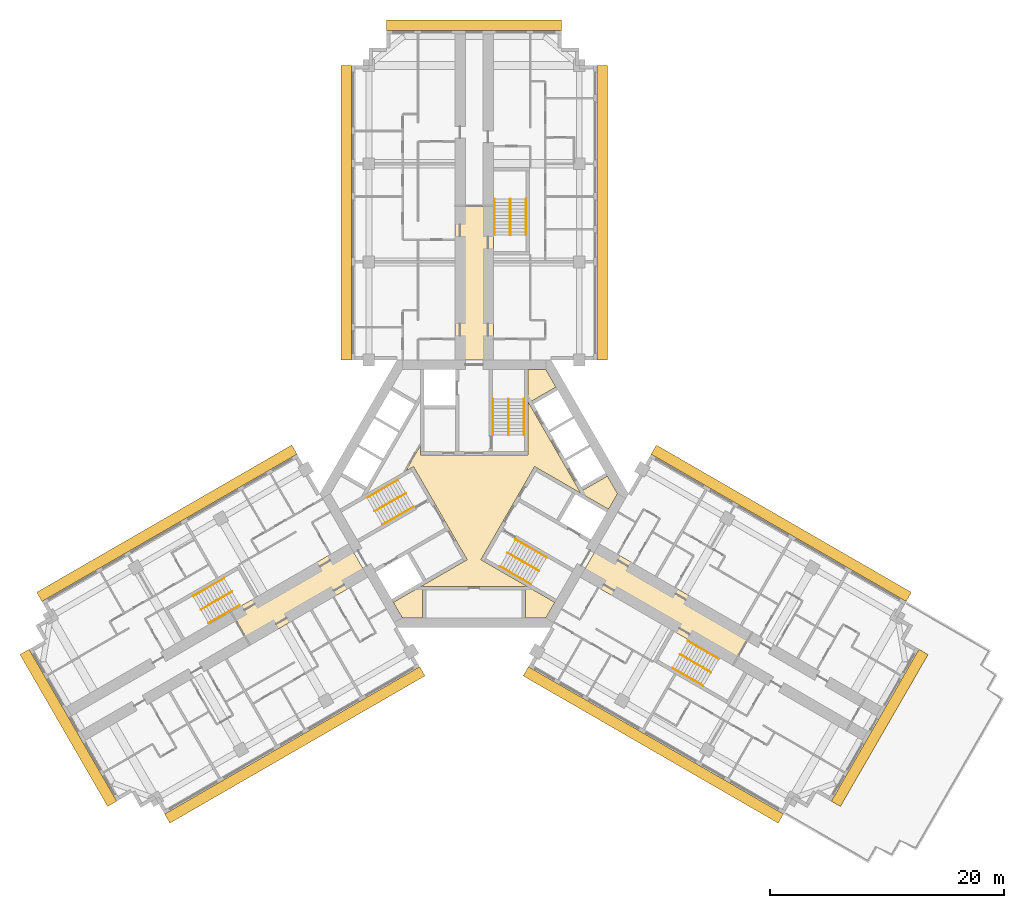
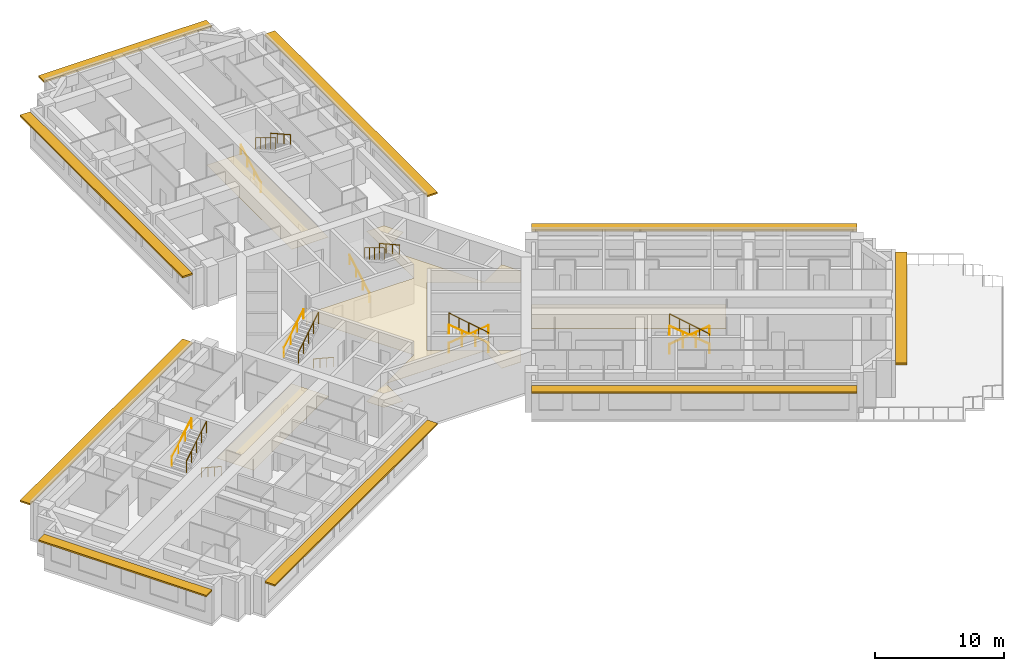
# One storey, part 13 of 14: 18 railings, 4 coverings, 3 shading devices.
"""IFC4 building model written with IfcOpenShell, lengths in metres."""

from ifc_helpers import new_model, si_unit, direction, frame, origin, origin_2d, place, context, subcontext, project, spatial, polyline, rectangle, circle, outline, extrude, material, layer, layer_set, type_object, element, save


model = new_model("IFC4")

# Units and contexts
model_context = context("Model", 3, precision=1e-05, world=origin(), true_north=direction((0.0, 1.0)))
body_context = subcontext(model_context, "Body", "Model", "MODEL_VIEW")
ifc_project = project(units=[si_unit("LENGTHUNIT", "METRE"), si_unit("AREAUNIT", "SQUARE_METRE"), si_unit("VOLUMEUNIT", "CUBIC_METRE"), si_unit("PLANEANGLEUNIT", "RADIAN"), si_unit("MASSUNIT", "GRAM", prefix="KILO")], contexts=[model_context])

# Site, building, storey
site_placement = place(None, origin())
site = spatial("IfcSite", under=ifc_project, at=site_placement, CompositionType="ELEMENT")
building_placement = place(site_placement, origin())
building = spatial("IfcBuilding", under=site, at=building_placement, Name="Impinga Residences", CompositionType="ELEMENT")
storey_placement = place(building_placement, frame((0.0, 0.0, 158.5)))
storey = spatial("IfcBuildingStorey", under=building, at=storey_placement, Name="L39", CompositionType="ELEMENT", Elevation=158.5)

# Coverings
ifc_material_1 = material(Name="Plasterboard 15 mm on steel hangers", Category="steel")
ifc_layer_1 = layer(ifc_material_1, 0.014892578125)
ifc_layer_set_1 = layer_set([ifc_layer_1], Name="Plasterboard 15 mm on steel hangers")
covering_type_1 = type_object("IfcCoveringType", Name="CL1 corridor ceiling, 15 mm plasterboard on hangers", PredefinedType="CEILING", material=ifc_layer_set_1)
covering_1_placement = place(storey_placement, frame((0.0, 0.0, 2.39990234375)))
element("IfcCovering", 1, at=covering_1_placement, inside=storey, type_object=covering_type_1, Name="Corridor ceiling CL1 L39-N00", PredefinedType="CEILING", context=body_context, shape_type="SweptSolid", body=[
    extrude(outline(polyline([(-1.64990234375, 11.431640625), (1.64990234375, 11.431640625), (1.64990234375, 24.58154296875), (-1.64990234375, 24.58154296875), (-1.64990234375, 11.431640625)])), origin(), (0.0, 0.0, 1.0), 0.01513671875),
])
covering_2_placement = place(storey_placement, frame((0.0, 0.0, 2.39990234375)))
element("IfcCovering", 2, at=covering_2_placement, inside=storey, type_object=covering_type_1, Name="Corridor ceiling CL1 L39-W00", PredefinedType="CEILING", context=body_context, shape_type="SweptSolid", body=[
    extrude(outline(polyline([(-10.72509765625, -4.286865234375), (-9.074951171875, -7.144775390625), (-19.121337890625, -12.94482421875), (-20.771240234375, -10.087158203125), (-10.72509765625, -4.286865234375)])), origin(), (0.0, 0.0, 1.0), 0.01513671875),
])
covering_3_placement = place(storey_placement, frame((0.0, 0.0, 2.39990234375)))
element("IfcCovering", 3, at=covering_3_placement, inside=storey, type_object=covering_type_1, Name="Corridor ceiling CL1 L39-E00", PredefinedType="CEILING", context=body_context, shape_type="SweptSolid", body=[
    extrude(outline(polyline([(9.074951171875, -7.144775390625), (10.72509765625, -4.286865234375), (23.759033203125, -11.81201171875), (22.109130859375, -14.669921875), (9.074951171875, -7.144775390625)])), origin(), (0.0, 0.0, 1.0), 0.01513671875),
])
ifc_material_2 = material(Name="Mineral fibre tiles 20 mm on exposed grid", Category="mineral fibre")
ifc_layer_2 = layer(ifc_material_2, 0.02001953125)
ifc_layer_set_2 = layer_set([ifc_layer_2], Name="CL2 lift lobby ceiling, 20 mm mineral fibre tiles")
covering_type_2 = type_object("IfcCoveringType", Name="CL2 lift lobby ceiling, 20 mm mineral fibre tiles", PredefinedType="CEILING", material=ifc_layer_set_2)
covering_4_placement = place(storey_placement, frame((0.0, 0.0, 2.39990234375)))
element("IfcCovering", 4, at=covering_4_placement, inside=storey, type_object=covering_type_2, Name="Lift lobby ceiling CL2 L39-C01", PredefinedType="CEILING", context=body_context, shape_type="SweptSolid", body=[
    extrude(outline(polyline([(5.183837890625, 2.318603515625), (0.583984375, -5.648681640625), (6.9072265625, -9.299560546875), (6.13818359375, -10.631591796875), (4.39990234375, -10.631591796875), (4.39990234375, -7.931640625), (-4.39990234375, -7.931640625), (-4.39990234375, -10.631591796875), (-6.13818359375, -10.631591796875), (-6.9072265625, -9.299560546875), (-0.583984375, -5.648681640625), (-5.183837890625, 2.318603515625), (-5.846923828125, 1.935791015625), (-4.60009765625, 4.095703125), (-4.60009765625, 3.330078125), (4.60009765625, 3.330078125), (4.60009765625, 10.631591796875), (6.13818359375, 10.631591796875), (7.007080078125, 9.126220703125), (4.6689453125, 7.7763671875), (9.06884765625, 0.1552734375), (11.4072265625, 1.50537109375), (12.276123046875, 0.0), (11.507080078125, -1.33203125), (5.183837890625, 2.318603515625)])), origin(), (0.0, 0.0, 1.0), 0.02001953125),
])

# Railings
ifc_material_3 = material(Name="Steel guard, powder coated", Category="steel")
railing_type_1 = type_object("IfcRailingType", Name="GR1 stair guard 1100", PredefinedType="GUARDRAIL", material=ifc_material_3)
railing_1_placement = place(storey_placement, frame((2.949951171875, 8.110107421875, 1.875)))
element("IfcRailing", 5, at=railing_1_placement, inside=storey, type_object=railing_type_1, Name="Stair guard GR1 ST1 L39", PredefinedType="GUARDRAIL", context=body_context, shape_type="SweptSolid", body=[
    extrude(circle(Radius=0.02392578125, at=origin_2d()), frame((0.0, 0.0, 1.076171875), z_axis=(0.0, -0.854177636135, 0.519981313056), x_axis=(1.0, 0.0, 0.0)), (0.0, 0.0, 1.0), 3.60595703125),
    extrude(circle(Radius=0.02099609375, at=origin_2d()), origin(), (0.0, 0.0, 1.0), 1.052001953125),
    extrude(circle(Radius=0.02099609375, at=origin_2d()), frame((0.0, -0.77001953125, 0.46875)), (0.0, 0.0, 1.0), 1.052001953125),
    extrude(circle(Radius=0.02099609375, at=origin_2d()), frame((0.0, -1.5400390625, 0.9375)), (0.0, 0.0, 1.0), 1.052001953125),
    extrude(circle(Radius=0.02099609375, at=origin_2d()), frame((0.0, -2.31005859375, 1.40625)), (0.0, 0.0, 1.0), 1.052001953125),
    extrude(circle(Radius=0.02099609375, at=origin_2d()), frame((0.0, -3.080078125, 1.875)), (0.0, 0.0, 1.0), 1.052001953125),
])
railing_2_placement = place(storey_placement, frame((-8.49853515625, -1.500244140625, 1.875)))
element("IfcRailing", 6, at=railing_2_placement, inside=storey, type_object=railing_type_1, Name="Stair guard GR1 ST2 L39", PredefinedType="GUARDRAIL", context=body_context, shape_type="SweptSolid", body=[
    extrude(circle(Radius=0.02392578125, at=origin_2d()), frame((0.0, 0.0, 1.076171875), z_axis=(0.739746383972, 0.427084037168, 0.519975492303), x_axis=(-0.499992328818, 0.866029832698, 0.0)), (0.0, 0.0, 1.0), 3.60595703125),
    extrude(circle(Radius=0.02099609375, at=origin_2d()), origin(), (0.0, 0.0, 1.0), 1.052001953125),
    extrude(circle(Radius=0.02099609375, at=origin_2d()), frame((0.6669921875, 0.385009765625, 0.46875)), (0.0, 0.0, 1.0), 1.052001953125),
    extrude(circle(Radius=0.02099609375, at=origin_2d()), frame((1.333740234375, 0.77001953125, 0.9375)), (0.0, 0.0, 1.0), 1.052001953125),
    extrude(circle(Radius=0.02099609375, at=origin_2d()), frame((2.00048828125, 1.155029296875, 1.40625)), (0.0, 0.0, 1.0), 1.052001953125),
    extrude(circle(Radius=0.02099609375, at=origin_2d()), frame((2.66748046875, 1.5400390625, 1.875)), (0.0, 0.0, 1.0), 1.052001953125),
])
railing_3_placement = place(storey_placement, frame((5.548583984375, -6.60986328125, 1.875)))
element("IfcRailing", 7, at=railing_3_placement, inside=storey, type_object=railing_type_1, Name="Stair guard GR1 ST3 L39", PredefinedType="GUARDRAIL", context=body_context, shape_type="SweptSolid", body=[
    extrude(circle(Radius=0.02392578125, at=origin_2d()), frame((0.0, 0.0, 1.076171875), z_axis=(-0.739746383972, 0.427084037168, 0.519975492303), x_axis=(-0.499992328818, -0.866029832698, 0.0)), (0.0, 0.0, 1.0), 3.60595703125),
    extrude(circle(Radius=0.02099609375, at=origin_2d()), origin(), (0.0, 0.0, 1.0), 1.052001953125),
    extrude(circle(Radius=0.02099609375, at=origin_2d()), frame((-0.6669921875, 0.385009765625, 0.46875)), (0.0, 0.0, 1.0), 1.052001953125),
    extrude(circle(Radius=0.02099609375, at=origin_2d()), frame((-1.333740234375, 0.77001953125, 0.9375)), (0.0, 0.0, 1.0), 1.052001953125),
    extrude(circle(Radius=0.02099609375, at=origin_2d()), frame((-2.00048828125, 1.155029296875, 1.40625)), (0.0, 0.0, 1.0), 1.052001953125),
    extrude(circle(Radius=0.02099609375, at=origin_2d()), frame((-2.66748046875, 1.5400390625, 1.875)), (0.0, 0.0, 1.0), 1.052001953125),
])
railing_4_placement = place(storey_placement, frame((3.10009765625, 25.21142578125, 1.875)))
element("IfcRailing", 8, at=railing_4_placement, inside=storey, type_object=railing_type_1, Name="Stair guard GR1 WS1 L39", PredefinedType="GUARDRAIL", context=body_context, shape_type="SweptSolid", body=[
    extrude(circle(Radius=0.02392578125, at=origin_2d()), frame((0.0, 0.0, 1.076171875), z_axis=(0.0, -0.854159328187, 0.520011386482), x_axis=(1.0, 0.0, 0.0)), (0.0, 0.0, 1.0), 3.605712890625),
    extrude(circle(Radius=0.02099609375, at=origin_2d()), origin(), (0.0, 0.0, 1.0), 1.052001953125),
    extrude(circle(Radius=0.02099609375, at=origin_2d()), frame((0.0, -0.77001953125, 0.46875)), (0.0, 0.0, 1.0), 1.052001953125),
    extrude(circle(Radius=0.02099609375, at=origin_2d()), frame((0.0, -1.5400390625, 0.9375)), (0.0, 0.0, 1.0), 1.052001953125),
    extrude(circle(Radius=0.02099609375, at=origin_2d()), frame((0.0, -2.309814453125, 1.40625)), (0.0, 0.0, 1.0), 1.052001953125),
    extrude(circle(Radius=0.02099609375, at=origin_2d()), frame((0.0, -3.079833984375, 1.875)), (0.0, 0.0, 1.0), 1.052001953125),
])
railing_5_placement = place(storey_placement, frame((-23.3837890625, -9.921142578125, 1.875)))
element("IfcRailing", 9, at=railing_5_placement, inside=storey, type_object=railing_type_1, Name="Stair guard GR1 WS2 L39", PredefinedType="GUARDRAIL", context=body_context, shape_type="SweptSolid", body=[
    extrude(circle(Radius=0.02392578125, at=origin_2d()), frame((0.0, 0.0, 1.076171875), z_axis=(0.739715726454, 0.427105428144, 0.52000153585), x_axis=(-0.500026652407, 0.866010015463, 0.0)), (0.0, 0.0, 1.0), 3.605712890625),
    extrude(circle(Radius=0.02099609375, at=origin_2d()), origin(), (0.0, 0.0, 1.0), 1.052001953125),
    extrude(circle(Radius=0.02099609375, at=origin_2d()), frame((0.666748046875, 0.385009765625, 0.46875)), (0.0, 0.0, 1.0), 1.052001953125),
    extrude(circle(Radius=0.02099609375, at=origin_2d()), frame((1.33349609375, 0.77001953125, 0.9375)), (0.0, 0.0, 1.0), 1.052001953125),
    extrude(circle(Radius=0.02099609375, at=origin_2d()), frame((2.00048828125, 1.155029296875, 1.40625)), (0.0, 0.0, 1.0), 1.052001953125),
    extrude(circle(Radius=0.02099609375, at=origin_2d()), frame((2.667236328125, 1.5400390625, 1.875)), (0.0, 0.0, 1.0), 1.052001953125),
])
railing_6_placement = place(storey_placement, frame((20.283935546875, -15.29052734375, 1.875)))
element("IfcRailing", 10, at=railing_6_placement, inside=storey, type_object=railing_type_1, Name="Stair guard GR1 WS3 L39", PredefinedType="GUARDRAIL", context=body_context, shape_type="SweptSolid", body=[
    extrude(circle(Radius=0.02392578125, at=origin_2d()), frame((0.0, 0.0, 1.076171875), z_axis=(-0.739746383972, 0.427084037168, 0.519975492303), x_axis=(-0.499992328818, -0.866029832698, 0.0)), (0.0, 0.0, 1.0), 3.60595703125),
    extrude(circle(Radius=0.02099609375, at=origin_2d()), origin(), (0.0, 0.0, 1.0), 1.052001953125),
    extrude(circle(Radius=0.02099609375, at=origin_2d()), frame((-0.6669921875, 0.385009765625, 0.46875)), (0.0, 0.0, 1.0), 1.052001953125),
    extrude(circle(Radius=0.02099609375, at=origin_2d()), frame((-1.333740234375, 0.77001953125, 0.9375)), (0.0, 0.0, 1.0), 1.052001953125),
    extrude(circle(Radius=0.02099609375, at=origin_2d()), frame((-2.00048828125, 1.155029296875, 1.40625)), (0.0, 0.0, 1.0), 1.052001953125),
    extrude(circle(Radius=0.02099609375, at=origin_2d()), frame((-2.66748046875, 1.5400390625, 1.875)), (0.0, 0.0, 1.0), 1.052001953125),
])
ifc_material_4 = material(Name="Steel handrail tube 42 mm, powder coated", Category="steel")
railing_type_2 = type_object("IfcRailingType", Name="HR1 stair handrail, 42 mm steel tube, 900 above the pitch line", PredefinedType="HANDRAIL", material=ifc_material_4)
railing_7_placement = place(storey_placement, frame((1.62109375, 5.030029296875, 0.15625)))
element("IfcRailing", 11, at=railing_7_placement, inside=storey, type_object=railing_type_2, Name="Stair handrail HR1 ST1 L39", PredefinedType="HANDRAIL", context=body_context, shape_type="SweptSolid", body=[
    extrude(circle(Radius=0.02099609375, at=origin_2d()), frame((0.0, 0.0, 0.87890625), z_axis=(0.0, 0.873241540666, 0.487287606713), x_axis=(-1.0, 0.0, 0.0)), (0.0, 0.0, 1.0), 3.527099609375),
    extrude(circle(Radius=0.012451171875, at=origin_2d()), origin(), (0.0, 0.0, 1.0), 0.85791015625),
    extrude(circle(Radius=0.012451171875, at=origin_2d()), frame((0.0, 1.026611328125, 0.572998046875)), (0.0, 0.0, 1.0), 0.85791015625),
    extrude(circle(Radius=0.012451171875, at=origin_2d()), frame((0.0, 2.053466796875, 1.145751953125)), (0.0, 0.0, 1.0), 0.85791015625),
    extrude(circle(Radius=0.012451171875, at=origin_2d()), frame((0.0, 3.080078125, 1.71875)), (0.0, 0.0, 1.0), 0.85791015625),
])
railing_8_placement = place(storey_placement, frame((4.279052734375, 8.110107421875, 2.03125)))
element("IfcRailing", 12, at=railing_8_placement, inside=storey, type_object=railing_type_2, Name="Stair handrail HR1 ST1 L39", PredefinedType="HANDRAIL", context=body_context, shape_type="SweptSolid", body=[
    extrude(circle(Radius=0.02099609375, at=origin_2d()), frame((0.0, 0.0, 0.87890625), z_axis=(0.0, -0.873241540666, 0.487287606713), x_axis=(1.0, 0.0, 0.0)), (0.0, 0.0, 1.0), 3.527099609375),
    extrude(circle(Radius=0.012451171875, at=origin_2d()), origin(), (0.0, 0.0, 1.0), 0.85791015625),
    extrude(circle(Radius=0.012451171875, at=origin_2d()), frame((0.0, -1.026611328125, 0.572998046875)), (0.0, 0.0, 1.0), 0.85791015625),
    extrude(circle(Radius=0.012451171875, at=origin_2d()), frame((0.0, -2.053466796875, 1.145751953125)), (0.0, 0.0, 1.0), 0.85791015625),
    extrude(circle(Radius=0.012451171875, at=origin_2d()), frame((0.0, -3.080078125, 1.71875)), (0.0, 0.0, 1.0), 0.85791015625),
])
railing_9_placement = place(storey_placement, frame((-5.16650390625, -1.111083984375, 0.15625)))
element("IfcRailing", 13, at=railing_9_placement, inside=storey, type_object=railing_type_2, Name="Stair handrail HR1 ST2 L39", PredefinedType="HANDRAIL", context=body_context, shape_type="SweptSolid", body=[
    extrude(circle(Radius=0.02099609375, at=origin_2d()), frame((0.0, 0.0, 0.87890625), z_axis=(-0.756255980417, -0.436615662133, 0.487281905742), x_axis=(0.499992328818, -0.866029832698, 0.0)), (0.0, 0.0, 1.0), 3.527099609375),
    extrude(circle(Radius=0.012451171875, at=origin_2d()), origin(), (0.0, 0.0, 1.0), 0.85791015625),
    extrude(circle(Radius=0.012451171875, at=origin_2d()), frame((-0.88916015625, -0.513427734375, 0.572998046875)), (0.0, 0.0, 1.0), 0.85791015625),
    extrude(circle(Radius=0.012451171875, at=origin_2d()), frame((-1.7783203125, -1.026611328125, 1.145751953125)), (0.0, 0.0, 1.0), 0.85791015625),
    extrude(circle(Radius=0.012451171875, at=origin_2d()), frame((-2.66748046875, -1.5400390625, 1.71875)), (0.0, 0.0, 1.0), 0.85791015625),
])
railing_10_placement = place(storey_placement, frame((-9.1630859375, -0.349365234375, 2.03125)))
element("IfcRailing", 14, at=railing_10_placement, inside=storey, type_object=railing_type_2, Name="Stair handrail HR1 ST2 L39", PredefinedType="HANDRAIL", context=body_context, shape_type="SweptSolid", body=[
    extrude(circle(Radius=0.02099609375, at=origin_2d()), frame((0.0, 0.0, 0.87890625), z_axis=(0.756255980417, 0.436615662133, 0.487281905742), x_axis=(-0.499992328818, 0.866029832698, 0.0)), (0.0, 0.0, 1.0), 3.527099609375),
    extrude(circle(Radius=0.012451171875, at=origin_2d()), origin(), (0.0, 0.0, 1.0), 0.85791015625),
    extrude(circle(Radius=0.012451171875, at=origin_2d()), frame((0.88916015625, 0.513427734375, 0.572998046875)), (0.0, 0.0, 1.0), 0.85791015625),
    extrude(circle(Radius=0.012451171875, at=origin_2d()), frame((1.7783203125, 1.026611328125, 1.145751953125)), (0.0, 0.0, 1.0), 0.85791015625),
    extrude(circle(Radius=0.012451171875, at=origin_2d()), frame((2.66748046875, 1.5400390625, 1.71875)), (0.0, 0.0, 1.0), 0.85791015625),
])
railing_11_placement = place(storey_placement, frame((3.545654296875, -3.9189453125, 0.15625)))
element("IfcRailing", 15, at=railing_11_placement, inside=storey, type_object=railing_type_2, Name="Stair handrail HR1 ST3 L39", PredefinedType="HANDRAIL", context=body_context, shape_type="SweptSolid", body=[
    extrude(circle(Radius=0.02099609375, at=origin_2d()), frame((0.0, 0.0, 0.87890625), z_axis=(0.756249203677, -0.436582492228, 0.487322141317), x_axis=(0.499967199496, 0.866044340336, 0.0)), (0.0, 0.0, 1.0), 3.52685546875),
    extrude(circle(Radius=0.012451171875, at=origin_2d()), origin(), (0.0, 0.0, 1.0), 0.85791015625),
    extrude(circle(Radius=0.012451171875, at=origin_2d()), frame((0.88916015625, -0.51318359375, 0.572998046875)), (0.0, 0.0, 1.0), 0.85791015625),
    extrude(circle(Radius=0.012451171875, at=origin_2d()), frame((1.778076171875, -1.026611328125, 1.145751953125)), (0.0, 0.0, 1.0), 0.85791015625),
    extrude(circle(Radius=0.012451171875, at=origin_2d()), frame((2.667236328125, -1.539794921875, 1.71875)), (0.0, 0.0, 1.0), 0.85791015625),
])
railing_12_placement = place(storey_placement, frame((4.884033203125, -7.7607421875, 2.03125)))
element("IfcRailing", 16, at=railing_12_placement, inside=storey, type_object=railing_type_2, Name="Stair handrail HR1 ST3 L39", PredefinedType="HANDRAIL", context=body_context, shape_type="SweptSolid", body=[
    extrude(circle(Radius=0.02099609375, at=origin_2d()), frame((0.0, 0.0, 0.87890625), z_axis=(-0.756255980417, 0.436615662133, 0.487281905742), x_axis=(-0.499992328818, -0.866029832698, 0.0)), (0.0, 0.0, 1.0), 3.527099609375),
    extrude(circle(Radius=0.012451171875, at=origin_2d()), origin(), (0.0, 0.0, 1.0), 0.85791015625),
    extrude(circle(Radius=0.012451171875, at=origin_2d()), frame((-0.88916015625, 0.513427734375, 0.572998046875)), (0.0, 0.0, 1.0), 0.85791015625),
    extrude(circle(Radius=0.012451171875, at=origin_2d()), frame((-1.7783203125, 1.026611328125, 1.145751953125)), (0.0, 0.0, 1.0), 0.85791015625),
    extrude(circle(Radius=0.012451171875, at=origin_2d()), frame((-2.66748046875, 1.5400390625, 1.71875)), (0.0, 0.0, 1.0), 0.85791015625),
])
railing_13_placement = place(storey_placement, frame((1.77099609375, 22.131591796875, 0.15625)))
element("IfcRailing", 17, at=railing_13_placement, inside=storey, type_object=railing_type_2, Name="Stair handrail HR1 WS1 L39", PredefinedType="HANDRAIL", context=body_context, shape_type="SweptSolid", body=[
    extrude(circle(Radius=0.02099609375, at=origin_2d()), frame((0.0, 0.0, 0.87890625), z_axis=(0.0, 0.873225103656, 0.487317061414), x_axis=(-1.0, 0.0, 0.0)), (0.0, 0.0, 1.0), 3.52685546875),
    extrude(circle(Radius=0.012451171875, at=origin_2d()), origin(), (0.0, 0.0, 1.0), 0.85791015625),
    extrude(circle(Radius=0.012451171875, at=origin_2d()), frame((0.0, 1.026611328125, 0.572998046875)), (0.0, 0.0, 1.0), 0.85791015625),
    extrude(circle(Radius=0.012451171875, at=origin_2d()), frame((0.0, 2.05322265625, 1.145751953125)), (0.0, 0.0, 1.0), 0.85791015625),
    extrude(circle(Radius=0.012451171875, at=origin_2d()), frame((0.0, 3.079833984375, 1.71875)), (0.0, 0.0, 1.0), 0.85791015625),
])
railing_14_placement = place(storey_placement, frame((4.428955078125, 25.21142578125, 2.03125)))
element("IfcRailing", 18, at=railing_14_placement, inside=storey, type_object=railing_type_2, Name="Stair handrail HR1 WS1 L39", PredefinedType="HANDRAIL", context=body_context, shape_type="SweptSolid", body=[
    extrude(circle(Radius=0.02099609375, at=origin_2d()), frame((0.0, 0.0, 0.87890625), z_axis=(0.0, -0.873225103656, 0.487317061414), x_axis=(1.0, 0.0, 0.0)), (0.0, 0.0, 1.0), 3.52685546875),
    extrude(circle(Radius=0.012451171875, at=origin_2d()), origin(), (0.0, 0.0, 1.0), 0.85791015625),
    extrude(circle(Radius=0.012451171875, at=origin_2d()), frame((0.0, -1.026611328125, 0.572998046875)), (0.0, 0.0, 1.0), 0.85791015625),
    extrude(circle(Radius=0.012451171875, at=origin_2d()), frame((0.0, -2.05322265625, 1.145751953125)), (0.0, 0.0, 1.0), 0.85791015625),
    extrude(circle(Radius=0.012451171875, at=origin_2d()), frame((0.0, -3.079833984375, 1.71875)), (0.0, 0.0, 1.0), 0.85791015625),
])
railing_15_placement = place(storey_placement, frame((-20.052001953125, -9.531982421875, 0.15625)))
element("IfcRailing", 19, at=railing_15_placement, inside=storey, type_object=railing_type_2, Name="Stair handrail HR1 WS2 L39", PredefinedType="HANDRAIL", context=body_context, shape_type="SweptSolid", body=[
    extrude(circle(Radius=0.02099609375, at=origin_2d()), frame((0.0, 0.0, 0.87890625), z_axis=(-0.756226348243, -0.436638517594, 0.487307413422), x_axis=(0.500026652407, -0.866010015463, 0.0)), (0.0, 0.0, 1.0), 3.527099609375),
    extrude(circle(Radius=0.012451171875, at=origin_2d()), origin(), (0.0, 0.0, 1.0), 0.85791015625),
    extrude(circle(Radius=0.012451171875, at=origin_2d()), frame((-0.88916015625, -0.513427734375, 0.572998046875)), (0.0, 0.0, 1.0), 0.85791015625),
    extrude(circle(Radius=0.012451171875, at=origin_2d()), frame((-1.778076171875, -1.026611328125, 1.145751953125)), (0.0, 0.0, 1.0), 0.85791015625),
    extrude(circle(Radius=0.012451171875, at=origin_2d()), frame((-2.667236328125, -1.5400390625, 1.71875)), (0.0, 0.0, 1.0), 0.85791015625),
])
railing_16_placement = place(storey_placement, frame((-24.04833984375, -8.77001953125, 2.03125)))
element("IfcRailing", 20, at=railing_16_placement, inside=storey, type_object=railing_type_2, Name="Stair handrail HR1 WS2 L39", PredefinedType="HANDRAIL", context=body_context, shape_type="SweptSolid", body=[
    extrude(circle(Radius=0.02099609375, at=origin_2d()), frame((0.0, 0.0, 0.87890625), z_axis=(0.756278834354, 0.436559638319, 0.487296631324), x_axis=(-0.499932877268, 0.866064153644, 0.0)), (0.0, 0.0, 1.0), 3.527099609375),
    extrude(circle(Radius=0.012451171875, at=origin_2d()), origin(), (0.0, 0.0, 1.0), 0.85791015625),
    extrude(circle(Radius=0.012451171875, at=origin_2d()), frame((0.88916015625, 0.51318359375, 0.572998046875)), (0.0, 0.0, 1.0), 0.85791015625),
    extrude(circle(Radius=0.012451171875, at=origin_2d()), frame((1.7783203125, 1.026611328125, 1.145751953125)), (0.0, 0.0, 1.0), 0.85791015625),
    extrude(circle(Radius=0.012451171875, at=origin_2d()), frame((2.66748046875, 1.539794921875, 1.71875)), (0.0, 0.0, 1.0), 0.85791015625),
])
railing_17_placement = place(storey_placement, frame((18.281005859375, -12.599609375, 0.15625)))
element("IfcRailing", 21, at=railing_17_placement, inside=storey, type_object=railing_type_2, Name="Stair handrail HR1 WS3 L39", PredefinedType="HANDRAIL", context=body_context, shape_type="SweptSolid", body=[
    extrude(circle(Radius=0.02099609375, at=origin_2d()), frame((0.0, 0.0, 0.87890625), z_axis=(0.756249203677, -0.436582492228, 0.487322141317), x_axis=(0.499967199496, 0.866044340336, 0.0)), (0.0, 0.0, 1.0), 3.52685546875),
    extrude(circle(Radius=0.012451171875, at=origin_2d()), origin(), (0.0, 0.0, 1.0), 0.85791015625),
    extrude(circle(Radius=0.012451171875, at=origin_2d()), frame((0.88916015625, -0.51318359375, 0.572998046875)), (0.0, 0.0, 1.0), 0.85791015625),
    extrude(circle(Radius=0.012451171875, at=origin_2d()), frame((1.778076171875, -1.026611328125, 1.145751953125)), (0.0, 0.0, 1.0), 0.85791015625),
    extrude(circle(Radius=0.012451171875, at=origin_2d()), frame((2.667236328125, -1.539794921875, 1.71875)), (0.0, 0.0, 1.0), 0.85791015625),
])
railing_18_placement = place(storey_placement, frame((19.619384765625, -16.44140625, 2.03125)))
element("IfcRailing", 22, at=railing_18_placement, inside=storey, type_object=railing_type_2, Name="Stair handrail HR1 WS3 L39", PredefinedType="HANDRAIL", context=body_context, shape_type="SweptSolid", body=[
    extrude(circle(Radius=0.02099609375, at=origin_2d()), frame((0.0, 0.0, 0.87890625), z_axis=(-0.756255980417, 0.436615662133, 0.487281905742), x_axis=(-0.499992328818, -0.866029832698, 0.0)), (0.0, 0.0, 1.0), 3.527099609375),
    extrude(circle(Radius=0.012451171875, at=origin_2d()), origin(), (0.0, 0.0, 1.0), 0.85791015625),
    extrude(circle(Radius=0.012451171875, at=origin_2d()), frame((-0.88916015625, 0.513427734375, 0.572998046875)), (0.0, 0.0, 1.0), 0.85791015625),
    extrude(circle(Radius=0.012451171875, at=origin_2d()), frame((-1.7783203125, 1.026611328125, 1.145751953125)), (0.0, 0.0, 1.0), 0.85791015625),
    extrude(circle(Radius=0.012451171875, at=origin_2d()), frame((-2.66748046875, 1.5400390625, 1.71875)), (0.0, 0.0, 1.0), 0.85791015625),
])

# Shading devices
ifc_material_5 = material(Name="Terracotta sunshade blades on aluminium brackets", Category="masonry")
ifc_layer_3 = layer(ifc_material_5, 0.14990234375)
ifc_layer_set_3 = layer_set([ifc_layer_3], Name="SS1 SUNSHADE terracotta sunshade band 900")
shading_device_type = type_object("IfcShadingDeviceType", Name="SS1 SUNSHADE terracotta sunshade band 900", PredefinedType="USERDEFINED", material=ifc_layer_set_3)
shading_device_1_placement = place(storey_placement, frame((-10.949951171875, 24.031494140625, 3.10009765625), z_axis=(0.0, 0.0, 1.0), x_axis=(0.0, 1.0, 0.0)))
element("IfcShadingDevice", 23, at=shading_device_1_placement, inside=storey, type_object=shading_device_type, Name="SUNSHADE band L39 NORTH WING", ObjectType="SUNSHADE", PredefinedType="USERDEFINED", context=body_context, shape_type="SweptSolid", body=[
    extrude(rectangle(XDim=25.199951171875, YDim=0.89990234375, at=origin_2d()), origin(), (0.0, 0.0, 1.0), 0.14990234375),
    extrude(rectangle(XDim=15.0, YDim=0.89990234375, at=origin_2d()), frame((16.050048828125, -10.949951171875, 0.0), z_axis=(0.0, 0.0, 1.0), x_axis=(0.0, -1.0, 0.0)), (0.0, 0.0, 1.0), 0.14990234375),
    extrude(rectangle(XDim=25.199951171875, YDim=0.89990234375, at=origin_2d()), frame((0.0, -21.89990234375, 0.0), z_axis=(0.0, 0.0, 1.0), x_axis=(-1.0, 0.0, 0.0)), (0.0, 0.0, 1.0), 0.14990234375),
])
shading_device_2_placement = place(storey_placement, frame((-34.711669921875, -20.040771484375, 3.10009765625), z_axis=(0.0, 0.0, 1.0), x_axis=(-0.5, 0.866025403784, 0.0)))
element("IfcShadingDevice", 24, at=shading_device_2_placement, inside=storey, type_object=shading_device_type, Name="SUNSHADE band L39 WEST WING", ObjectType="SUNSHADE", PredefinedType="USERDEFINED", context=body_context, shape_type="SweptSolid", body=[
    extrude(rectangle(XDim=15.0, YDim=0.89990234375, at=origin_2d()), origin(), (0.0, 0.0, 1.0), 0.14990234375),
    extrude(rectangle(XDim=25.199951171875, YDim=0.89990234375, at=origin_2d()), frame((10.949951171875, -16.050048828125, 0.0), z_axis=(0.0, 0.0, 1.0), x_axis=(0.0, -1.0, 0.0)), (0.0, 0.0, 1.0), 0.14990234375),
    extrude(rectangle(XDim=25.199951171875, YDim=0.89990234375, at=origin_2d()), frame((-10.949951171875, -16.050048828125, 0.0), z_axis=(0.0, 0.0, 1.0), x_axis=(0.0, 1.0, 0.0)), (0.0, 0.0, 1.0), 0.14990234375),
])
shading_device_3_placement = place(storey_placement, frame((26.286865234375, -2.53271484375, 3.10009765625), z_axis=(0.0, 0.0, 1.0), x_axis=(0.866025403784, -0.5, 0.0)))
element("IfcShadingDevice", 25, at=shading_device_3_placement, inside=storey, type_object=shading_device_type, Name="SUNSHADE band L39 EAST WING", ObjectType="SUNSHADE", PredefinedType="USERDEFINED", context=body_context, shape_type="SweptSolid", body=[
    extrude(rectangle(XDim=25.199951171875, YDim=0.89990234375, at=origin_2d()), origin(), (0.0, 0.0, 1.0), 0.14990234375),
    extrude(rectangle(XDim=15.0, YDim=0.89990234375, at=origin_2d()), frame((16.050048828125, -10.949951171875, 0.0), z_axis=(0.0, 0.0, 1.0), x_axis=(0.0, -1.0, 0.0)), (0.0, 0.0, 1.0), 0.14990234375),
    extrude(rectangle(XDim=25.199951171875, YDim=0.89990234375, at=origin_2d()), frame((0.0, -21.900146484375, 0.0), z_axis=(0.0, 0.0, 1.0), x_axis=(-1.0, 0.0, 0.0)), (0.0, 0.0, 1.0), 0.14990234375),
])

save(model, "model.ifc")
